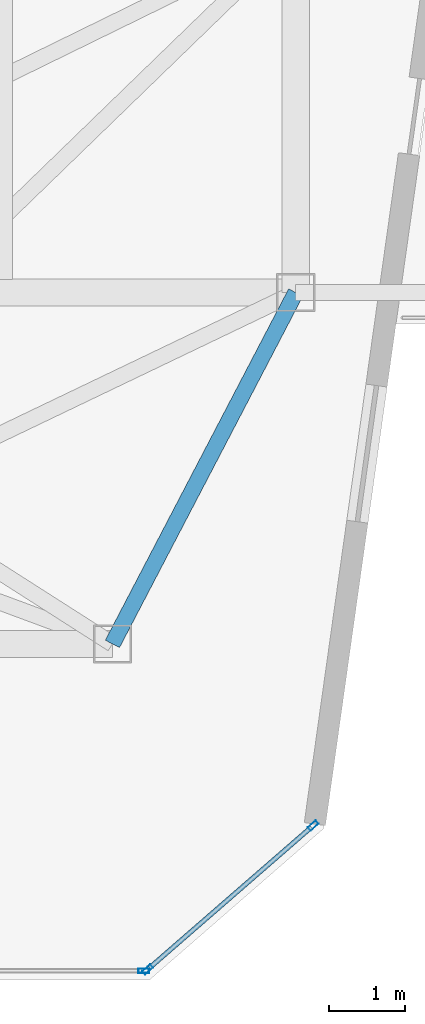
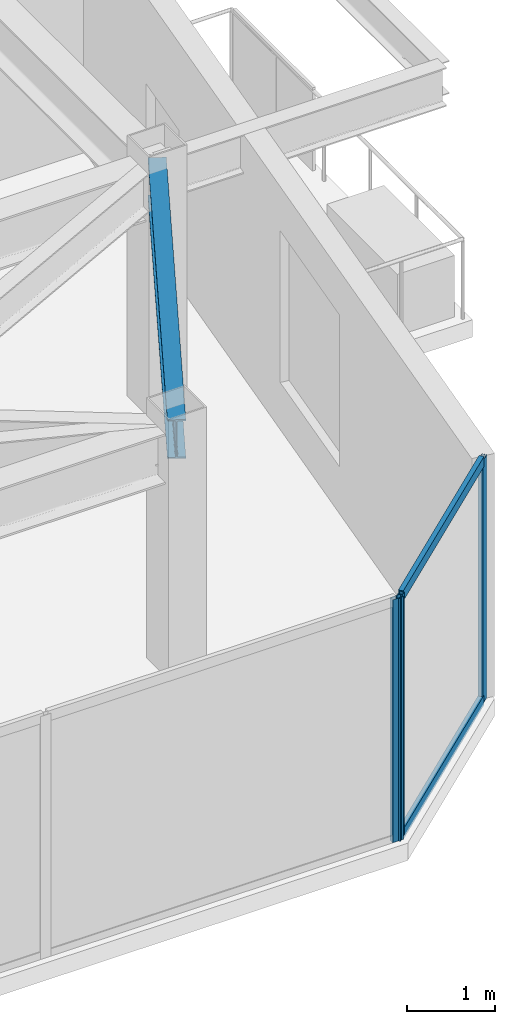
# One storey, part 11 of 17: 5 members, 1 beam, 2 elements without a shape of their own.
"""IFC4 building model written with IfcOpenShell, lengths in metres."""

from ifc_helpers import new_model, si_unit, direction, frame, origin, origin_2d, place, context, subcontext, project, spatial, hollow_rectangle, i_section, extrude, material, layer, layer_set, material_profile, profile_set, type_object, element, aggregate, save


model = new_model("IFC4")

# Units and contexts
model_context = context("Model", 3, precision=1e-05, world=origin(), true_north=direction((0.0, 1.0)))
body_context = subcontext(model_context, "Body", "Model", "MODEL_VIEW")
ifc_project = project(units=[si_unit("LENGTHUNIT", "METRE"), si_unit("AREAUNIT", "SQUARE_METRE"), si_unit("VOLUMEUNIT", "CUBIC_METRE"), si_unit("PLANEANGLEUNIT", "RADIAN"), si_unit("MASSUNIT", "GRAM", prefix="KILO")], contexts=[model_context])

# Site, building, storey
site_placement = place(None, origin())
site = spatial("IfcSite", under=ifc_project, at=site_placement, CompositionType="ELEMENT")
building_placement = place(site_placement, origin())
building = spatial("IfcBuilding", under=site, at=building_placement, Name="Kravanh Interchange Tower", CompositionType="ELEMENT")
storey_placement = place(building_placement, frame((0.0, 0.0, 249.0)))
storey = spatial("IfcBuildingStorey", under=building, at=storey_placement, Name="L60", CompositionType="ELEMENT", Elevation=249.0)

# Curtain wall, members
ifc_material_1 = material(Name="Anodised Bronze Aluminium", Category="aluminium")
ifc_layer = layer(ifc_material_1, 0.179931640625)
ifc_layer_set = layer_set([ifc_layer], Name="Unitised Curtain Wall System CW-HTL Luxury Hotel")
curtain_wall_type = type_object("IfcCurtainWallType", Name="Unitised Curtain Wall System CW-HTL Luxury Hotel", PredefinedType="NOTDEFINED", material=ifc_layer_set)
curtain_wall_1_placement = place(storey_placement, origin())
curtain_wall_1 = element("IfcCurtainWall", 1, at=curtain_wall_1_placement, inside=storey, type_object=curtain_wall_type, Name="L60 Unitised Curtain Wall CW-L60-01", PredefinedType="NOTDEFINED")
ifc_material_2 = material(Name="Anodised Bronze Aluminium", Category="aluminium")
ifc_material_profile_1 = material_profile(ifc_material_2, hollow_rectangle(XDim=0.06005859375, YDim=0.139892578125, WallThickness=0.00390625, at=origin_2d()), Name="ALU60X140X4")
ifc_profile_set_1 = profile_set([ifc_material_profile_1], Name="Anodised Bronze Aluminium")
member_type_1 = type_object("IfcMemberType", Name="Curtain Wall Mullion ALU60X140X4 Bronze", PredefinedType="MULLION", material=ifc_profile_set_1)
member_1_placement = place(storey_placement, frame((65.828369140625, 19.822021484375, 0.0), z_axis=(0.0, 0.0, 1.0), x_axis=(0.656050227106, -0.754717231494, 0.0)))
member_1 = element("IfcMember", 2, at=member_1_placement, type_object=member_type_1, Name="CW-HTL mullion 1", PredefinedType="MULLION", context=body_context, shape_type="SweptSolid", body=[
    extrude(hollow_rectangle(XDim=0.06005859375, YDim=0.139892578125, WallThickness=0.00390625, at=origin_2d()), origin(), (0.0, 0.0, 1.0), 3.360107421875),
])
member_2_placement = place(storey_placement, frame((63.6630859375, 17.939697265625, 0.0), z_axis=(0.0, 0.0, 1.0), x_axis=(0.656050227106, -0.754717231494, 0.0)))
member_2 = element("IfcMember", 3, at=member_2_placement, type_object=member_type_1, Name="CW-HTL mullion 2", PredefinedType="MULLION", context=body_context, shape_type="SweptSolid", body=[
    extrude(hollow_rectangle(XDim=0.06005859375, YDim=0.139892578125, WallThickness=0.00390625, at=origin_2d()), origin(), (0.0, 0.0, 1.0), 3.360107421875),
])

# Curtain wall, member
curtain_wall_2_placement = place(storey_placement, origin())
curtain_wall_2 = element("IfcCurtainWall", 4, at=curtain_wall_2_placement, inside=storey, type_object=curtain_wall_type, Name="L60 Unitised Curtain Wall CW-L60-02", PredefinedType="NOTDEFINED")
member_3_placement = place(storey_placement, frame((63.610595703125, 17.919921875, 0.0), z_axis=(0.0, 0.0, 1.0), x_axis=(0.0, -1.0, 0.0)))
member_3 = element("IfcMember", 5, at=member_3_placement, type_object=member_type_1, Name="CW-HTL mullion 1", PredefinedType="MULLION", context=body_context, shape_type="SweptSolid", body=[
    extrude(hollow_rectangle(XDim=0.06005859375, YDim=0.139892578125, WallThickness=0.00390625, at=origin_2d()), origin(), (0.0, 0.0, 1.0), 3.360107421875),
])
aggregate(curtain_wall_2, [member_3])

# Member
ifc_material_3 = material(Name="Anodised Bronze Aluminium", Category="aluminium")
ifc_material_profile_2 = material_profile(ifc_material_3, hollow_rectangle(XDim=0.06005859375, YDim=0.139892578125, WallThickness=0.00390625, at=origin_2d()), Name="ALU60X140X4")
ifc_profile_set_2 = profile_set([ifc_material_profile_2], Name="Anodised Bronze Aluminium")
member_type_2 = type_object("IfcMemberType", Name="Curtain Wall Transom ALU60X140X4 Bronze", PredefinedType="USERDEFINED", material=ifc_profile_set_2)
member_4_placement = place(storey_placement, frame((65.805908203125, 19.80224609375, 0.030029296875), z_axis=(-0.754747707805, -0.656015165651, 0.0), x_axis=(0.656015165651, -0.754747707805, 0.0)))
member_4 = element("IfcMember", 6, at=member_4_placement, type_object=member_type_2, Name="CW-HTL transom 1.1", ObjectType="TRANSOM", PredefinedType="USERDEFINED", context=body_context, shape_type="SweptSolid", body=[
    extrude(hollow_rectangle(XDim=0.06005859375, YDim=0.139892578125, WallThickness=0.00390625, at=origin_2d()), origin(), (0.0, 0.0, 1.0), 2.80908203125),
])

member_5_placement = place(storey_placement, frame((65.805908203125, 19.80224609375, 3.330078125), z_axis=(-0.754747707805, -0.656015165651, 0.0), x_axis=(0.656015165651, -0.754747707805, 0.0)))
member_5 = element("IfcMember", 7, at=member_5_placement, type_object=member_type_2, Name="CW-HTL transom 1.2", ObjectType="TRANSOM", PredefinedType="USERDEFINED", context=body_context, shape_type="SweptSolid", body=[
    extrude(hollow_rectangle(XDim=0.06005859375, YDim=0.139892578125, WallThickness=0.00390625, at=origin_2d()), origin(), (0.0, 0.0, 1.0), 2.80908203125),
])

aggregate(curtain_wall_1, [member_1, member_2, member_4, member_5])

# Beam
ifc_material_4 = material(Name="Structural Steel S355", Category="steel")
ifc_material_profile_3 = material_profile(ifc_material_4, i_section(OverallWidth=0.2099609375, OverallDepth=0.537109375, WebThickness=0.010986328125, FlangeThickness=0.017333984375, FilletRadius=0.02001953125, at=origin_2d()), Name="W21X68")
ifc_profile_set_3 = profile_set([ifc_material_profile_3], Name="Structural Steel S355")
beam_type = type_object("IfcBeamType", Name="Floor Spandrel W21X68 Structural Steel S355", PredefinedType="SPANDREL", material=ifc_profile_set_3)
beam_placement = place(storey_placement, frame((65.60009765625, 26.800048828125, 3.091552734375), z_axis=(-0.462580479178, -0.886577295155, 0.0), x_axis=(0.886577295155, -0.462580479178, 0.0)))
element("IfcBeam", 8, at=beam_placement, inside=storey, type_object=beam_type, Name="L60 Perimeter Spandrel 37", PredefinedType="SPANDREL", context=body_context, shape_type="SweptSolid", body=[
    extrude(i_section(OverallWidth=0.2099609375, OverallDepth=0.537109375, WebThickness=0.010986328125, FlangeThickness=0.017333984375, FilletRadius=0.02001953125, at=origin_2d()), origin(), (0.0, 0.0, 1.0), 5.188720703125),
])

save(model, "model.ifc")
